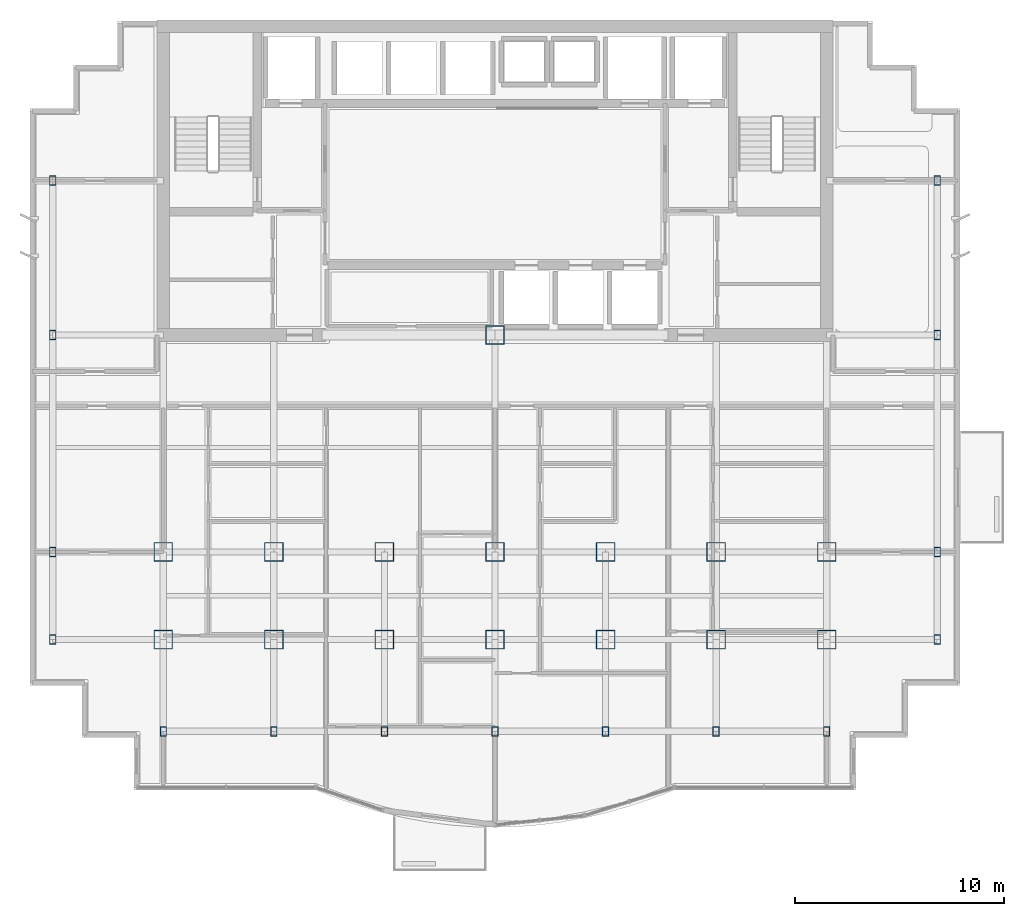
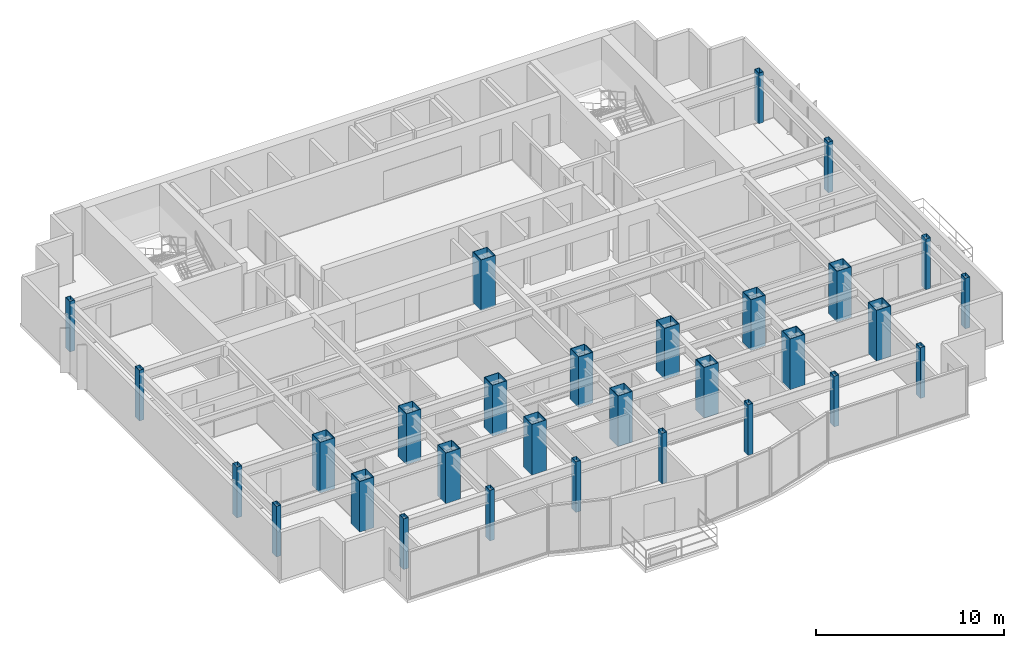
# One storey, part 1 of 11: 30 columns.
"""IFC4 building model written with IfcOpenShell, lengths in metres."""

from ifc_helpers import new_model, si_unit, direction, frame, origin, origin_2d, place, context, subcontext, project, spatial, hollow_rectangle, extrude, material, material_profile, profile_set, type_object, element, save


model = new_model("IFC4")

# Units and contexts
model_context = context("Model", 3, precision=1e-05, world=origin(), true_north=direction((0.0, 1.0)))
body_context = subcontext(model_context, "Body", "Model", "MODEL_VIEW")
ifc_project = project(units=[si_unit("LENGTHUNIT", "METRE"), si_unit("AREAUNIT", "SQUARE_METRE"), si_unit("VOLUMEUNIT", "CUBIC_METRE"), si_unit("PLANEANGLEUNIT", "RADIAN"), si_unit("MASSUNIT", "GRAM", prefix="KILO")], contexts=[model_context])

# Site, building, storey
site_placement = place(None, origin())
site = spatial("IfcSite", under=ifc_project, at=site_placement, CompositionType="ELEMENT")
building_placement = place(site_placement, origin())
building = spatial("IfcBuilding", under=site, at=building_placement, Name="Qianlan Lanfeng Residences", CompositionType="ELEMENT")
storey_placement = place(building_placement, frame((0.0, 0.0, 149.10009765625)))
storey = spatial("IfcBuildingStorey", under=building, at=storey_placement, Name="L40", CompositionType="ELEMENT", Elevation=149.10009765625)

# Columns
ifc_material = material(Name="Steel SN490B", Category="steel")
ifc_material_profile_1 = material_profile(ifc_material, hollow_rectangle(XDim=0.89990234375, YDim=0.89990234375, WallThickness=0.031982421875, at=origin_2d()), Name="BOX 900x900x32")
ifc_profile_set_1 = profile_set([ifc_material_profile_1], Name="Steel SN490B")
column_type_1 = type_object("IfcColumnType", Name="C-B1000", PredefinedType="COLUMN", material=ifc_profile_set_1)
for number, where, z_axis, x_axis, name in (
    (1, (26.5, 25.199951171875, 0.0), (0.0, 0.0, 1.0), (1.0, 0.0, 0.0), "L40 Structural Column CP_26.5_25.2"),
    (2, (10.60009765625, 14.800048828125, 0.0), (0.0, 0.0, 1.0), (1.0, 0.0, 0.0), "L40 Structural Column M_10.60_14.80"),
    (3, (10.60009765625, 10.60009765625, 0.0), (0.0, 0.0, 1.0), (1.0, 0.0, 0.0), "L40 Structural Column G_10.60_10.60"),
    (4, (15.89990234375, 14.800048828125, 0.0), (0.0, 0.0, 1.0), (1.0, 0.0, 0.0), "L40 Structural Column M_15.90_14.80"),
    (5, (15.89990234375, 10.60009765625, 0.0), (0.0, 0.0, 1.0), (1.0, 0.0, 0.0), "L40 Structural Column G_15.90_10.60"),
    (6, (21.199951171875, 14.800048828125, 0.0), (0.0, 0.0, 1.0), (1.0, 0.0, 0.0), "L40 Structural Column M_21.20_14.80"),
    (7, (21.199951171875, 10.60009765625, 0.0), (0.0, 0.0, 1.0), (1.0, 0.0, 0.0), "L40 Structural Column G_21.20_10.60"),
    (8, (26.5, 14.800048828125, 0.0), (0.0, 0.0, 1.0), (1.0, 0.0, 0.0), "L40 Structural Column M_26.50_14.80"),
    (9, (26.5, 10.60009765625, 0.0), (0.0, 0.0, 1.0), (1.0, 0.0, 0.0), "L40 Structural Column G_26.50_10.60"),
    (10, (31.800048828125, 14.800048828125, 0.0), (0.0, 0.0, 1.0), (1.0, 0.0, 0.0), "L40 Structural Column M_31.80_14.80"),
    (11, (31.800048828125, 10.60009765625, 0.0), (0.0, 0.0, 1.0), (1.0, 0.0, 0.0), "L40 Structural Column G_31.80_10.60"),
    (12, (37.10009765625, 14.800048828125, 0.0), (0.0, 0.0, 1.0), (1.0, 0.0, 0.0), "L40 Structural Column M_37.10_14.80"),
    (13, (37.10009765625, 10.60009765625, 0.0), (0.0, 0.0, 1.0), (1.0, 0.0, 0.0), "L40 Structural Column G_37.10_10.60"),
    (14, (42.39990234375, 14.800048828125, 0.0), (0.0, 0.0, 1.0), (1.0, 0.0, 0.0), "L40 Structural Column M_42.40_14.80"),
    (15, (42.39990234375, 10.60009765625, 0.0), (0.0, 0.0, 1.0), (1.0, 0.0, 0.0), "L40 Structural Column G_42.40_10.60"),
):
    element("IfcColumn", number, at=place(storey_placement, frame(where, z_axis=z_axis, x_axis=x_axis)), inside=storey, type_object=column_type_1, Name=name, PredefinedType="COLUMN", context=body_context, shape_type="SweptSolid", body=[
        extrude(hollow_rectangle(XDim=0.89990234375, YDim=0.89990234375, WallThickness=0.031982421875, at=origin_2d()), origin(), (0.0, 0.0, 1.0), 3.2998046875),
    ])
ifc_material_profile_2 = material_profile(ifc_material, hollow_rectangle(XDim=0.300048828125, YDim=0.449951171875, WallThickness=0.01611328125, at=origin_2d()), Name="RHS 450x300x16")
ifc_profile_set_2 = profile_set([ifc_material_profile_2], Name="Steel SN490B")
column_type_2 = type_object("IfcColumnType", Name="CE-B950", PredefinedType="COLUMN", material=ifc_profile_set_2)
for number, where, z_axis, x_axis, name in (
    (16, (10.60009765625, 6.199951171875, 0.0), (0.0, 0.0, 1.0), (1.0, 0.0, 0.0), "L40 Structural Column S_10.60_6.20"),
    (17, (15.89990234375, 6.199951171875, 0.0), (0.0, 0.0, 1.0), (1.0, 0.0, 0.0), "L40 Structural Column S_15.90_6.20"),
    (18, (21.199951171875, 6.199951171875, 0.0), (0.0, 0.0, 1.0), (1.0, 0.0, 0.0), "L40 Structural Column S_21.20_6.20"),
    (19, (26.5, 6.199951171875, 0.0), (0.0, 0.0, 1.0), (1.0, 0.0, 0.0), "L40 Structural Column S_26.50_6.20"),
    (20, (31.800048828125, 6.199951171875, 0.0), (0.0, 0.0, 1.0), (1.0, 0.0, 0.0), "L40 Structural Column S_31.80_6.20"),
    (21, (37.10009765625, 6.199951171875, 0.0), (0.0, 0.0, 1.0), (1.0, 0.0, 0.0), "L40 Structural Column S_37.10_6.20"),
    (22, (42.39990234375, 6.199951171875, 0.0), (0.0, 0.0, 1.0), (1.0, 0.0, 0.0), "L40 Structural Column S_42.40_6.20"),
    (23, (5.300048828125, 10.60009765625, 0.0), (0.0, 0.0, 1.0), (1.0, 0.0, 0.0), "L40 Structural Column W_5.30_10.60"),
    (24, (5.300048828125, 14.800048828125, 0.0), (0.0, 0.0, 1.0), (1.0, 0.0, 0.0), "L40 Structural Column W_5.30_14.80"),
    (25, (5.300048828125, 25.199951171875, 0.0), (0.0, 0.0, 1.0), (1.0, 0.0, 0.0), "L40 Structural Column W_5.30_25.20"),
    (26, (5.300048828125, 32.60009765625, 0.0), (0.0, 0.0, 1.0), (1.0, 0.0, 0.0), "L40 Structural Column W_5.30_32.60"),
    (27, (47.699951171875, 10.60009765625, 0.0), (0.0, 0.0, 1.0), (1.0, 0.0, 0.0), "L40 Structural Column W_47.70_10.60"),
    (28, (47.699951171875, 14.800048828125, 0.0), (0.0, 0.0, 1.0), (1.0, 0.0, 0.0), "L40 Structural Column W_47.70_14.80"),
    (29, (47.699951171875, 25.199951171875, 0.0), (0.0, 0.0, 1.0), (1.0, 0.0, 0.0), "L40 Structural Column W_47.70_25.20"),
    (30, (47.699951171875, 32.60009765625, 0.0), (0.0, 0.0, 1.0), (1.0, 0.0, 0.0), "L40 Structural Column W_47.70_32.60"),
):
    element("IfcColumn", number, at=place(storey_placement, frame(where, z_axis=z_axis, x_axis=x_axis)), inside=storey, type_object=column_type_2, Name=name, PredefinedType="COLUMN", context=body_context, shape_type="SweptSolid", body=[
        extrude(hollow_rectangle(XDim=0.300048828125, YDim=0.449951171875, WallThickness=0.01611328125, at=origin_2d()), origin(), (0.0, 0.0, 1.0), 3.2998046875),
    ])

save(model, "model.ifc")
